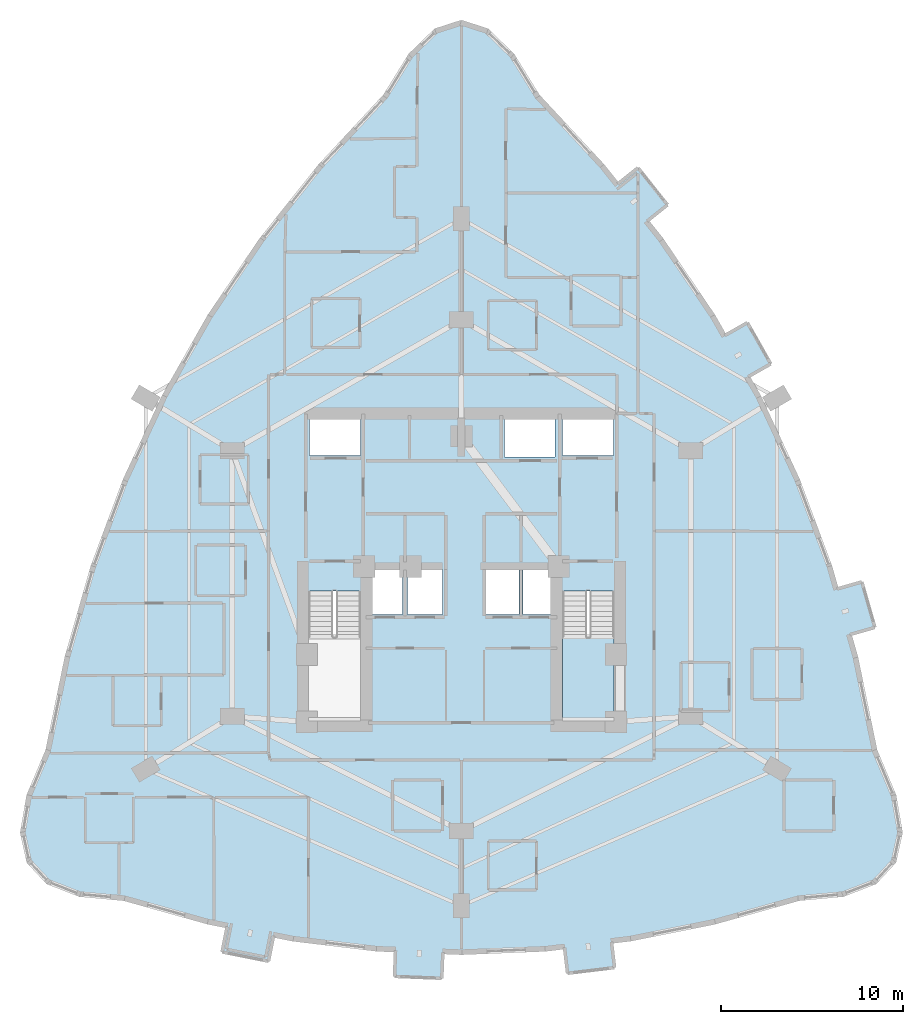
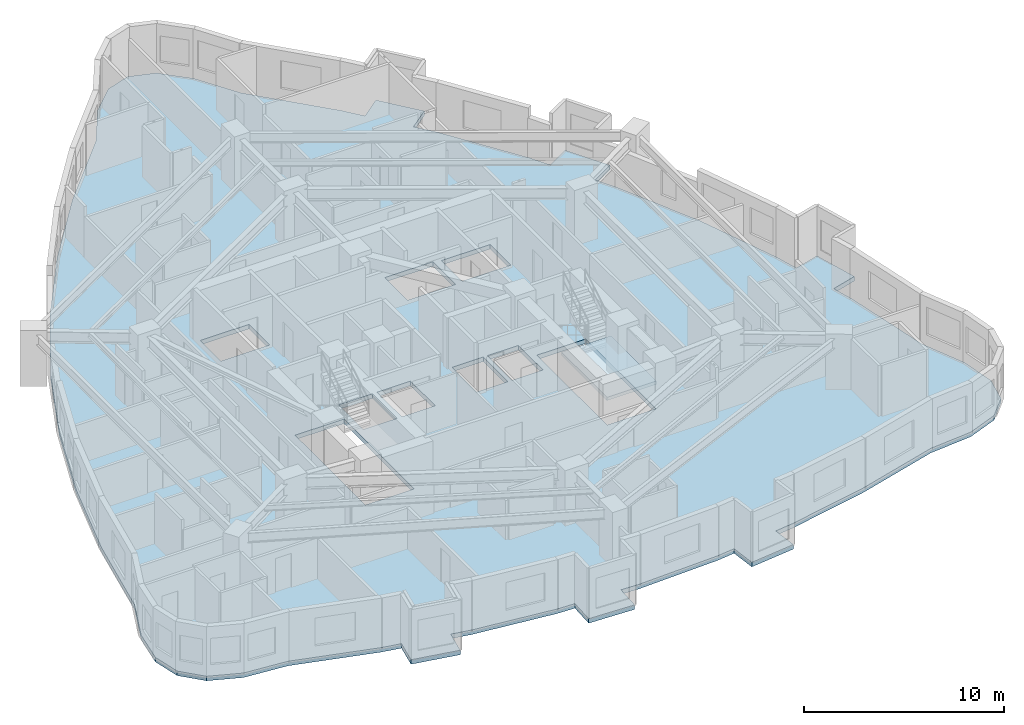
# One storey, part 3 of 14: 2 slabs, 1 element without a shape of its own.
"""IFC4 building model written with IfcOpenShell, lengths in metres."""

from ifc_helpers import new_model, si_unit, direction, frame, origin, place, context, subcontext, project, spatial, polyline, outline, extrude, material, layer, layer_set, type_object, element, aggregate, save


model = new_model("IFC4")

# Units and contexts
model_context = context("Model", 3, precision=1e-05, world=origin(), true_north=direction((0.0, 1.0)))
body_context = subcontext(model_context, "Body", "Model", "MODEL_VIEW")
ifc_project = project(units=[si_unit("LENGTHUNIT", "METRE"), si_unit("AREAUNIT", "SQUARE_METRE"), si_unit("VOLUMEUNIT", "CUBIC_METRE"), si_unit("PLANEANGLEUNIT", "RADIAN"), si_unit("MASSUNIT", "GRAM", prefix="KILO")], contexts=[model_context])

# Site, building, storey
site_placement = place(None, origin())
site = spatial("IfcSite", under=ifc_project, at=site_placement, CompositionType="ELEMENT")
building_placement = place(site_placement, origin())
building = spatial("IfcBuilding", under=site, at=building_placement, Name="Miruveldt Soraemaru", CompositionType="ELEMENT")
storey_placement = place(building_placement, frame((0.0, 0.0, 80.199951171875)))
storey = spatial("IfcBuildingStorey", under=building, at=storey_placement, Name="L22", CompositionType="ELEMENT", Elevation=80.199951171875)

# Stair, slab
ifc_material = material(Name="Concrete C40/50 (40 MPa)", Category="concrete")
stair_type = type_object("IfcStairType", Name="STAIR-DL-340", PredefinedType="HALF_TURN_STAIR", material=ifc_material)
stair_placement = place(storey_placement, origin())
stair = element("IfcStair", 1, at=stair_placement, inside=storey, type_object=stair_type, Name="L22 Protected Exit Stair ST-2", PredefinedType="HALF_TURN_STAIR")
ifc_layer_1 = layer(ifc_material, 0.199951171875, Name="Concrete C40/50 (40 MPa)", Category="concrete")
ifc_layer_set_1 = layer_set([ifc_layer_1], Name="Concrete C40/50 (40 MPa)")
slab_type_1 = type_object("IfcSlabType", Name="SLAB-LAND-200", PredefinedType="LANDING", material=ifc_layer_set_1)
slab_1_placement = place(storey_placement, frame((0.0, 0.0, 1.5)))
slab_1 = element("IfcSlab", 2, at=slab_1_placement, type_object=slab_type_1, Name="ST-2 landing 1", PredefinedType="LANDING", context=body_context, shape_type="SweptSolid", body=[
    extrude(outline(polyline([(49.550048828125, 40.197998046875), (49.550048828125, 35.64990234375), (52.39990234375, 35.64990234375), (52.39990234375, 40.197998046875), (49.550048828125, 40.197998046875)])), origin(), (0.0, 0.0, 1.0), 0.199951171875),
])
aggregate(stair, [slab_1])

# Slab
ifc_layer_2 = layer(ifc_material, 0.27490234375, Name="Concrete C40/50 (40 MPa)", Category="concrete")
ifc_layer_set_2 = layer_set([ifc_layer_2], Name="Concrete C40/50 (40 MPa)")
slab_type_2 = type_object("IfcSlabType", Name="SLAB-RES1-275", PredefinedType="FLOOR", material=ifc_layer_set_2)
slab_2_placement = place(storey_placement, frame((0.0, 0.0, -0.27490234375)))
element("IfcSlab", 3, at=slab_2_placement, inside=storey, type_object=slab_type_2, Name="L22 Structural Floor Slab", PredefinedType="FLOOR", context=body_context, shape_type="SweptSolid", body=[
    extrude(outline(polyline([(39.36376953125, 23.0234375), (34.727294921875, 23.579833984375), (33.68408203125, 23.78857421875), (33.393798828125, 22.33740234375), (30.84423828125, 22.84716796875), (31.134521484375, 24.29833984375), (32.4091796875, 24.04345703125), (30.091064453125, 24.507080078125), (25.454833984375, 25.805419921875), (23.017822265625, 26.030517578125), (21.277099609375, 26.705810546875), (20.23291015625, 27.831298828125), (19.884521484375, 29.406982421875), (20.23291015625, 31.43310546875), (21.277099609375, 33.909423828125), (22.336181640625, 39.055419921875), (23.7548828125, 44.01611328125), (25.533447265625, 48.791259765625), (27.671630859375, 53.381103515625), (30.169677734375, 57.78515625), (33.027587890625, 62.00390625), (36.2451171875, 66.037353515625), (39.822509765625, 69.88525390625), (41.21484375, 72.136474609375), (42.607421875, 73.487060546875), (44.0, 73.937255859375), (45.392578125, 73.487060546875), (46.78515625, 72.136474609375), (48.177490234375, 69.88525390625), (51.7548828125, 66.037353515625), (52.552978515625, 65.036865234375), (53.7099609375, 65.9599609375), (55.331298828125, 63.927490234375), (54.17431640625, 63.00439453125), (53.36376953125, 64.020751953125), (54.972412109375, 62.00390625), (57.830322265625, 57.78515625), (58.43798828125, 56.7138671875), (59.72509765625, 57.444091796875), (61.008056640625, 55.1826171875), (59.720703125, 54.452392578125), (59.079345703125, 55.5830078125), (60.328369140625, 53.381103515625), (62.466552734375, 48.791259765625), (64.2451171875, 44.01611328125), (64.954345703125, 41.535888671875), (64.596923828125, 42.78564453125), (66.02001953125, 43.192626953125), (66.73486328125, 40.69287109375), (65.31201171875, 40.285888671875), (65.663818359375, 39.055419921875), (66.722900390625, 33.909423828125), (67.76708984375, 31.43310546875), (68.115478515625, 29.406982421875), (67.76708984375, 27.831298828125), (66.722900390625, 26.705810546875), (64.982177734375, 26.030517578125), (62.545166015625, 25.805419921875), (57.908935546875, 24.507080078125), (53.272705078125, 23.579833984375), (52.2451171875, 23.45654296875), (52.42138671875, 21.987060546875), (49.840087890625, 21.67724609375), (49.663818359375, 23.146728515625), (48.63623046875, 23.0234375), (44.0, 22.837890625), (42.980712890625, 22.87890625), (42.921630859375, 21.39990234375), (40.32373046875, 21.50390625), (40.3828125, 22.982666015625), (39.36376953125, 23.0234375)]), holes=[polyline([(35.614990234375, 35.6650390625), (38.43505859375, 35.6650390625), (38.43505859375, 42.68505859375), (35.614990234375, 42.68505859375), (35.614990234375, 35.6650390625)]), polyline([(49.56494140625, 35.6650390625), (52.385009765625, 35.6650390625), (52.385009765625, 42.68505859375), (49.56494140625, 42.68505859375), (49.56494140625, 35.6650390625)]), polyline([(40.764892578125, 41.4150390625), (40.764892578125, 43.885009765625), (38.81494140625, 43.885009765625), (38.81494140625, 41.4150390625), (40.764892578125, 41.4150390625)]), polyline([(42.965087890625, 41.4150390625), (42.965087890625, 43.885009765625), (41.034912109375, 43.885009765625), (41.034912109375, 41.4150390625), (42.965087890625, 41.4150390625)]), polyline([(47.1650390625, 41.4150390625), (47.1650390625, 43.885009765625), (45.364990234375, 43.885009765625), (45.364990234375, 41.4150390625), (47.1650390625, 41.4150390625)]), polyline([(49.18505859375, 41.4150390625), (49.18505859375, 43.885009765625), (47.39501953125, 43.885009765625), (47.39501953125, 41.4150390625), (49.18505859375, 41.4150390625)]), polyline([(38.445068359375, 50.135009765625), (38.445068359375, 52.205078125), (35.635009765625, 52.205078125), (35.635009765625, 50.135009765625), (38.445068359375, 50.135009765625)]), polyline([(49.554931640625, 50.135009765625), (52.364990234375, 50.135009765625), (52.364990234375, 52.205078125), (49.554931640625, 52.205078125), (49.554931640625, 50.135009765625)]), polyline([(46.364990234375, 50.06494140625), (49.135009765625, 50.06494140625), (49.135009765625, 52.3349609375), (46.364990234375, 52.3349609375), (46.364990234375, 50.06494140625)])]), origin(), (0.0, 0.0, 1.0), 0.27490234375),
])

save(model, "model.ifc")
